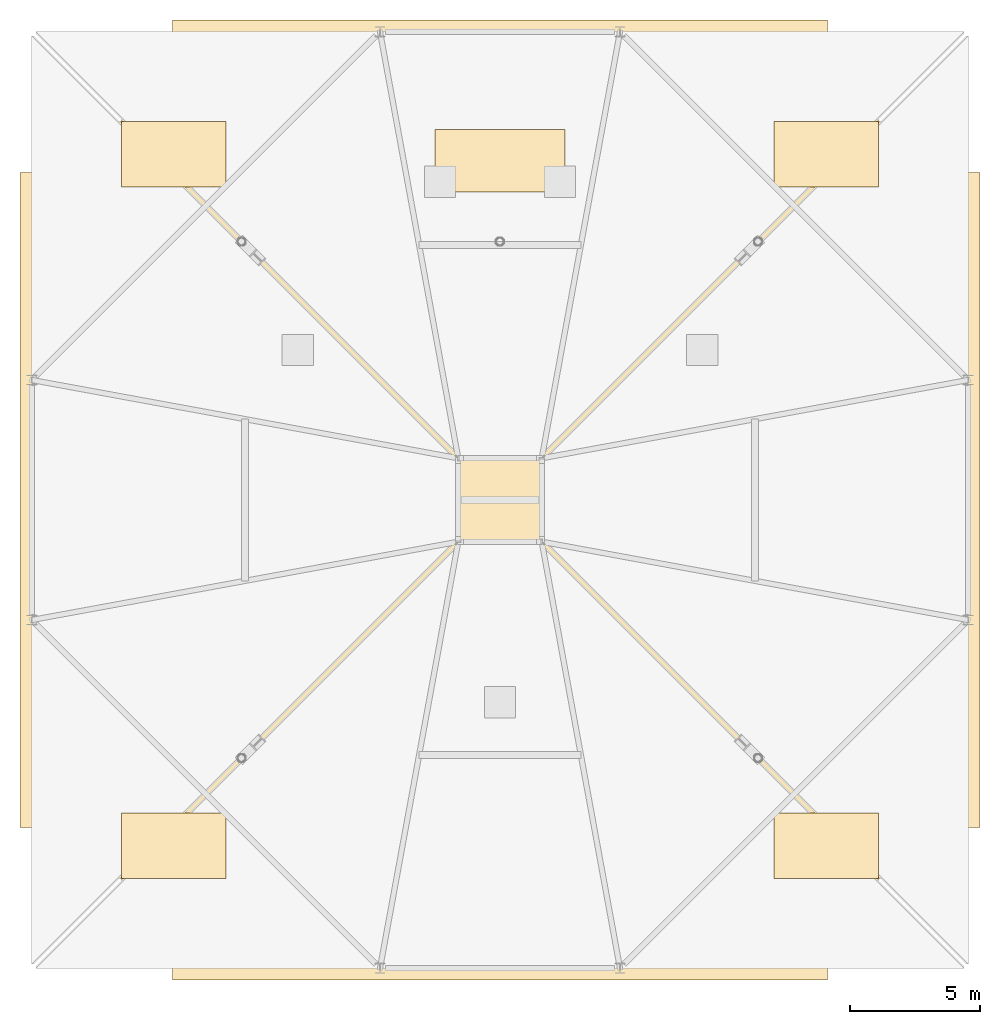
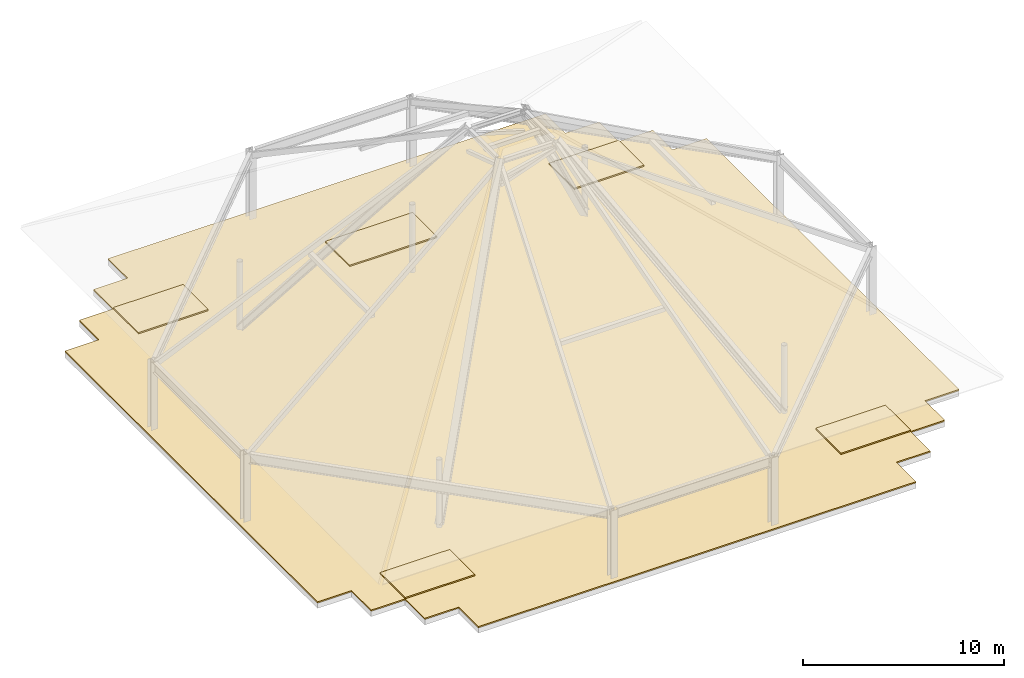
# One storey, part 7 of 7: 6 coverings.
"""IFC4 building model written with IfcOpenShell, lengths in metres."""

from ifc_helpers import new_model, si_unit, direction, frame, origin, place, context, subcontext, project, spatial, polyline, outline, extrude, material, layer, layer_set, type_object, element, save


model = new_model("IFC4")

# Units and contexts
model_context = context("Model", 3, precision=1e-05, world=origin(), true_north=direction((0.0, 1.0)))
body_context = subcontext(model_context, "Body", "Model", "MODEL_VIEW")
ifc_project = project(units=[si_unit("LENGTHUNIT", "METRE"), si_unit("AREAUNIT", "SQUARE_METRE"), si_unit("VOLUMEUNIT", "CUBIC_METRE"), si_unit("PLANEANGLEUNIT", "RADIAN"), si_unit("MASSUNIT", "GRAM", prefix="KILO")], contexts=[model_context])

# Site, building, storey
site_placement = place(None, origin())
site = spatial("IfcSite", under=ifc_project, at=site_placement, CompositionType="ELEMENT")
building_placement = place(site_placement, origin())
building = spatial("IfcBuilding", under=site, at=building_placement, Name="Kolvaren Belvedere", CompositionType="ELEMENT")
storey_placement = place(building_placement, frame((0.0, 0.0, 287.39990234375)))
storey = spatial("IfcBuildingStorey", under=building, at=storey_placement, Name="RF", CompositionType="ELEMENT", Elevation=287.39990234375)

# Coverings
ifc_material = material(Name="Pale-metal standing-seam aluminium roofing membrane", Category="aluminium")
ifc_layer = layer(ifc_material, 0.080078125)
ifc_layer_set = layer_set([ifc_layer], Name="Pale-metal standing-seam aluminium roofing membrane")
covering_type = type_object("IfcCoveringType", Name="CV-ROOF-80", PredefinedType="ROOFING", material=ifc_layer_set)
covering_1_placement = place(storey_placement, origin())
element("IfcCovering", 1, at=covering_1_placement, inside=storey, type_object=covering_type, Name="RF Standing-Seam Pale-Metal Roof Membrane", PredefinedType="ROOFING", context=body_context, shape_type="SweptSolid", body=[
    extrude(outline(polyline([(-12.550048828125, -18.39990234375), (12.550048828125, -18.39990234375), (12.550048828125, -16.449951171875), (14.5, -16.449951171875), (14.5, -14.5), (16.449951171875, -14.5), (16.449951171875, -12.550048828125), (18.39990234375, -12.550048828125), (18.39990234375, 12.550048828125), (16.449951171875, 12.550048828125), (16.449951171875, 14.5), (14.5, 14.5), (14.5, 16.449951171875), (12.550048828125, 16.449951171875), (12.550048828125, 18.39990234375), (-12.550048828125, 18.39990234375), (-12.550048828125, 16.449951171875), (-14.5, 16.449951171875), (-14.5, 14.5), (-16.449951171875, 14.5), (-16.449951171875, 12.550048828125), (-18.39990234375, 12.550048828125), (-18.39990234375, -12.550048828125), (-16.449951171875, -12.550048828125), (-16.449951171875, -14.5), (-14.5, -14.5), (-14.5, -16.449951171875), (-12.550048828125, -16.449951171875), (-12.550048828125, -18.39990234375)])), origin(), (0.0, 0.0, 1.0), 0.080078125),
])
covering_2_placement = place(storey_placement, frame((0.0, 0.0, 0.080078125)))
element("IfcCovering", 2, at=covering_2_placement, inside=storey, type_object=covering_type, Name="RF Acoustic Roof Equipment Walkway Pad 1", PredefinedType="ROOFING", context=body_context, shape_type="SweptSolid", body=[
    extrude(outline(polyline([(-14.5, -14.5), (-10.5, -14.5), (-10.5, -12.0), (-14.5, -12.0), (-14.5, -14.5)])), origin(), (0.0, 0.0, 1.0), 0.080078125),
])
covering_3_placement = place(storey_placement, frame((0.0, 0.0, 0.080078125)))
element("IfcCovering", 3, at=covering_3_placement, inside=storey, type_object=covering_type, Name="RF Acoustic Roof Equipment Walkway Pad 2", PredefinedType="ROOFING", context=body_context, shape_type="SweptSolid", body=[
    extrude(outline(polyline([(10.5, -14.5), (14.5, -14.5), (14.5, -12.0), (10.5, -12.0), (10.5, -14.5)])), origin(), (0.0, 0.0, 1.0), 0.080078125),
])
covering_4_placement = place(storey_placement, frame((0.0, 0.0, 0.080078125)))
element("IfcCovering", 4, at=covering_4_placement, inside=storey, type_object=covering_type, Name="RF Acoustic Roof Equipment Walkway Pad 3", PredefinedType="ROOFING", context=body_context, shape_type="SweptSolid", body=[
    extrude(outline(polyline([(-14.5, 12.0), (-10.5, 12.0), (-10.5, 14.5), (-14.5, 14.5), (-14.5, 12.0)])), origin(), (0.0, 0.0, 1.0), 0.080078125),
])
covering_5_placement = place(storey_placement, frame((0.0, 0.0, 0.080078125)))
element("IfcCovering", 5, at=covering_5_placement, inside=storey, type_object=covering_type, Name="RF Acoustic Roof Equipment Walkway Pad 4", PredefinedType="ROOFING", context=body_context, shape_type="SweptSolid", body=[
    extrude(outline(polyline([(10.5, 12.0), (14.5, 12.0), (14.5, 14.5), (10.5, 14.5), (10.5, 12.0)])), origin(), (0.0, 0.0, 1.0), 0.080078125),
])
covering_6_placement = place(storey_placement, frame((0.0, 0.0, 0.080078125)))
element("IfcCovering", 6, at=covering_6_placement, inside=storey, type_object=covering_type, Name="RF Acoustic Roof Equipment Walkway Pad 5", PredefinedType="ROOFING", context=body_context, shape_type="SweptSolid", body=[
    extrude(outline(polyline([(-2.5, 11.800048828125), (2.5, 11.800048828125), (2.5, 14.199951171875), (-2.5, 14.199951171875), (-2.5, 11.800048828125)])), origin(), (0.0, 0.0, 1.0), 0.080078125),
])

save(model, "model.ifc")
